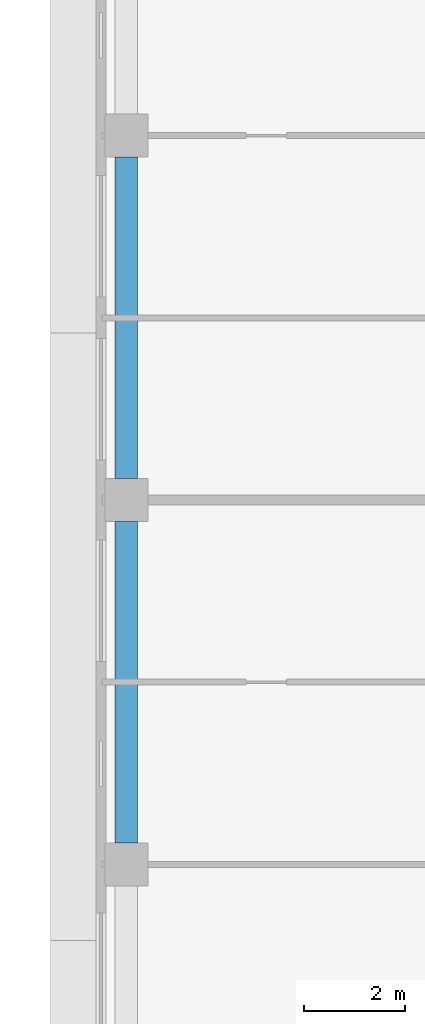
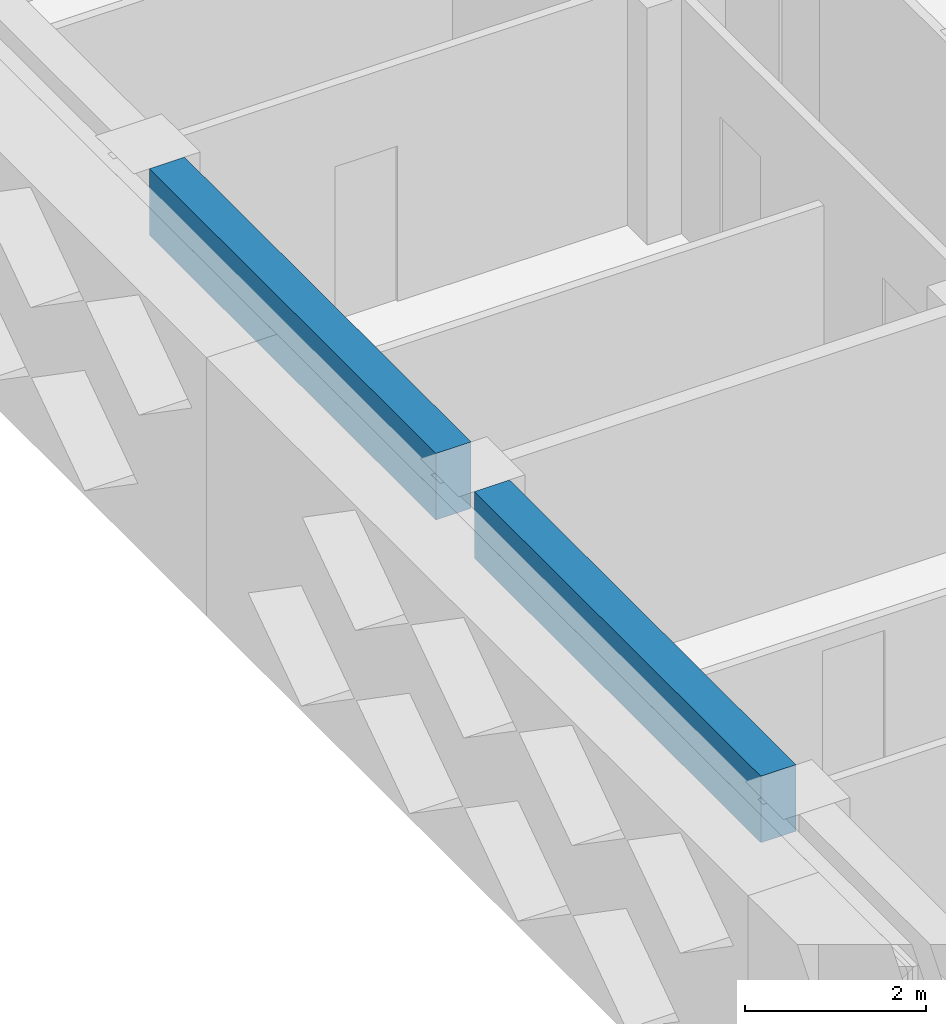
# One storey, part 3 of 20: 2 beams.
"""IFC4 building model written with IfcOpenShell, lengths in metres."""

from ifc_helpers import new_model, si_unit, direction, frame, origin, origin_2d, place, context, subcontext, project, spatial, rectangle, extrude, source, transform, mapped, material, material_profile, profile_set, type_object, element, save


model = new_model("IFC4")

# Units and contexts
model_context = context("Model", 3, precision=1e-05, world=origin(), true_north=direction((0.0, 1.0)))
body_context = subcontext(model_context, "Body", "Model", "MODEL_VIEW")
ifc_project = project(units=[si_unit("LENGTHUNIT", "METRE"), si_unit("AREAUNIT", "SQUARE_METRE"), si_unit("VOLUMEUNIT", "CUBIC_METRE"), si_unit("PLANEANGLEUNIT", "RADIAN"), si_unit("MASSUNIT", "GRAM", prefix="KILO")], contexts=[model_context])

# Site, building, storey
site_placement = place(None, origin())
site = spatial("IfcSite", under=ifc_project, at=site_placement, CompositionType="ELEMENT")
building_placement = place(site_placement, origin())
building = spatial("IfcBuilding", under=site, at=building_placement, Name="Saffron Iwan Residences", CompositionType="ELEMENT")
storey_placement = place(building_placement, frame((0.0, 0.0, 146.5)))
storey = spatial("IfcBuildingStorey", under=building, at=storey_placement, Name="L38", CompositionType="ELEMENT", Elevation=146.5)

# Beams
ifc_material = material(Name="Concrete C50/60", Category="concrete")
ifc_material_profile = material_profile(ifc_material, rectangle(XDim=0.449951171875, YDim=0.89990234375, at=origin_2d()), Name="RC 450x900")
ifc_profile_set = profile_set([ifc_material_profile], Name="Concrete C50/60")
beam_type = type_object("IfcBeamType", Name="SPANDREL BEAM RC 450x900 C50/60 TOP 3200", PredefinedType="SPANDREL", material=ifc_profile_set)
shared_shape = source(origin(), body_context, "Body", "SweptSolid", [
    extrude(rectangle(XDim=0.449951171875, YDim=0.89990234375, at=origin_2d()), origin(), (0.0, 0.0, 1.0), 6.35009765625),
])
for number, where, z_axis, x_axis, name in (
    (1, (15.0, 55.625, 2.75), (0.0, 1.0, 0.0), (-1.0, 0.0, 0.0), "Spandrel beam"),
    (2, (15.0, 62.824951171875, 2.75), (0.0, 1.0, 0.0), (-1.0, 0.0, 0.0), "Spandrel beam"),
):
    element("IfcBeam", number, at=place(storey_placement, frame(where, z_axis=z_axis, x_axis=x_axis)), inside=storey, type_object=beam_type, Name=name, PredefinedType="SPANDREL", context=body_context, shape_type="MappedRepresentation", body=[
        mapped(shared_shape, transform((0.0, 0.0, 0.0))),
    ])

save(model, "model.ifc")
